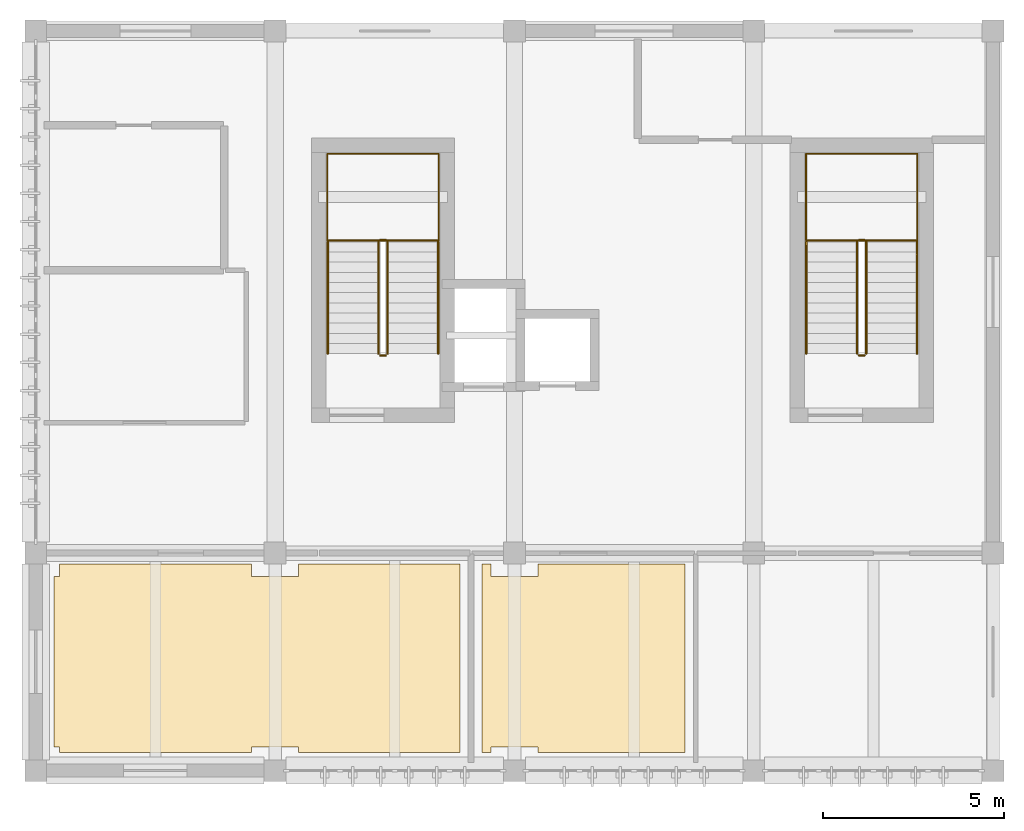
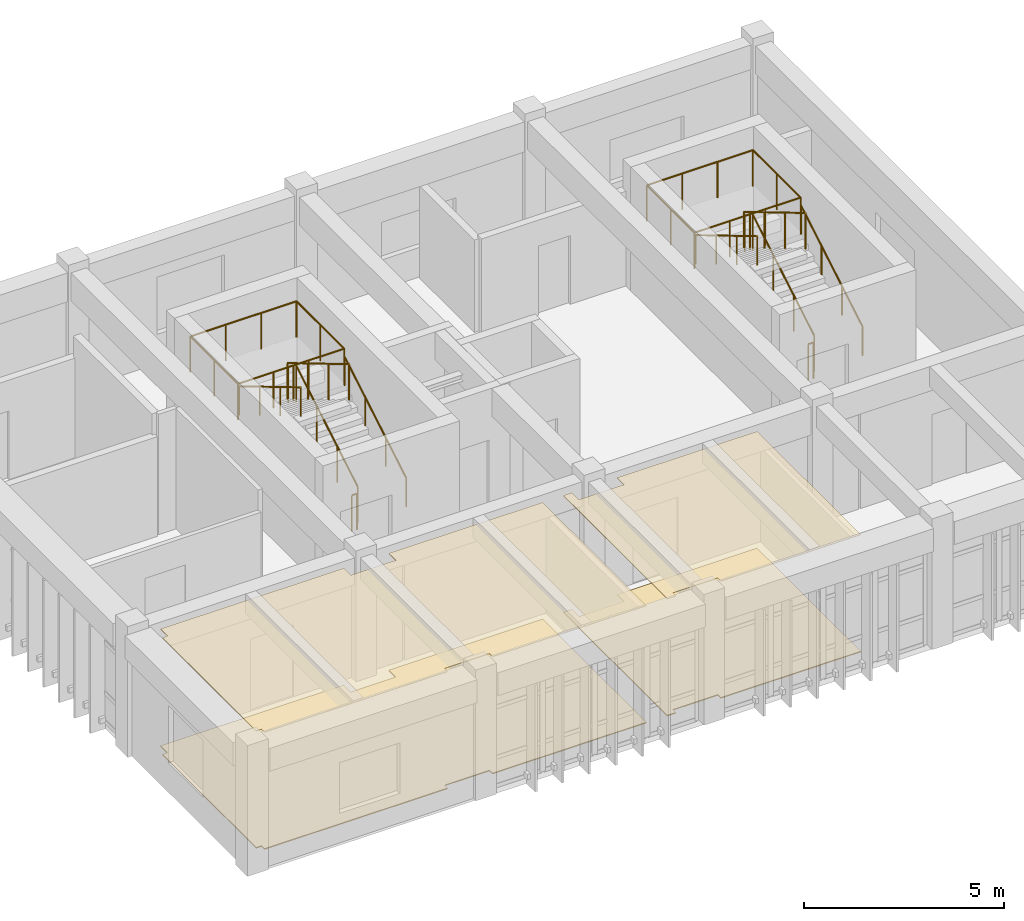
# One storey, part 7 of 7: 16 railings, 4 coverings.
"""IFC4 building model written with IfcOpenShell, lengths in metres."""

from ifc_helpers import new_model, si_unit, direction, frame, origin, origin_2d, place, context, subcontext, project, spatial, polyline, circle, outline, extrude, material, layer, layer_set, type_object, element, save


model = new_model("IFC4")

# Units and contexts
model_context = context("Model", 3, precision=1e-05, world=origin(), true_north=direction((0.0, 1.0)))
body_context = subcontext(model_context, "Body", "Model", "MODEL_VIEW")
ifc_project = project(units=[si_unit("LENGTHUNIT", "METRE"), si_unit("AREAUNIT", "SQUARE_METRE"), si_unit("VOLUMEUNIT", "CUBIC_METRE"), si_unit("PLANEANGLEUNIT", "RADIAN"), si_unit("MASSUNIT", "GRAM", prefix="KILO")], contexts=[model_context])

# Site, building, storey
site_placement = place(None, origin())
site = spatial("IfcSite", under=ifc_project, at=site_placement, CompositionType="ELEMENT")
building_placement = place(site_placement, origin())
building = spatial("IfcBuilding", under=site, at=building_placement, Name="Miralva Faculty of Natural Sciences", CompositionType="ELEMENT")
storey_placement = place(building_placement, frame((0.0, 0.0, 40.60009765625)))
storey = spatial("IfcBuildingStorey", under=building, at=storey_placement, Name="L09", CompositionType="ELEMENT", Elevation=40.60009765625)

# Coverings
ifc_material_1 = material(Name="Acoustic mineral-fibre board")
ifc_layer_1 = layer(ifc_material_1, 0.02197265625, Name="COV-CL01")
ifc_layer_set_1 = layer_set([ifc_layer_1], Name="Acoustic mineral-fibre board")
covering_type_1 = type_object("IfcCoveringType", Name="COV-CL01", PredefinedType="CEILING", material=ifc_layer_set_1)
covering_1_placement = place(storey_placement, frame((0.0, 0.0, 3.577880859375)))
element("IfcCovering", 1, at=covering_1_placement, inside=storey, type_object=covering_type_1, Name="Suspended acoustic ceiling L09-01", PredefinedType="CEILING", context=body_context, shape_type="SweptSolid", body=[
    extrude(outline(polyline([(8.949951171875, 8.35009765625), (10.25, 8.35009765625), (10.25, 8.699951171875), (14.699951171875, 8.699951171875), (14.699951171875, 3.5), (10.25, 3.5), (10.25, 3.64990234375), (8.949951171875, 3.64990234375), (8.949951171875, 3.5), (3.64990234375, 3.5), (3.64990234375, 3.64990234375), (3.5, 3.64990234375), (3.5, 8.35009765625), (3.64990234375, 8.35009765625), (3.64990234375, 8.699951171875), (8.949951171875, 8.699951171875), (8.949951171875, 8.35009765625)])), origin(), (0.0, 0.0, 1.0), 0.02197265625),
])
covering_2_placement = place(storey_placement, frame((0.0, 0.0, 3.577880859375)))
element("IfcCovering", 2, at=covering_2_placement, inside=storey, type_object=covering_type_1, Name="Suspended acoustic ceiling L09-02", PredefinedType="CEILING", context=body_context, shape_type="SweptSolid", body=[
    extrude(outline(polyline([(15.550048828125, 8.35009765625), (16.85009765625, 8.35009765625), (16.85009765625, 8.699951171875), (20.89990234375, 8.699951171875), (20.89990234375, 3.5), (16.85009765625, 3.5), (16.85009765625, 3.64990234375), (15.550048828125, 3.64990234375), (15.550048828125, 3.5), (15.300048828125, 3.5), (15.300048828125, 8.699951171875), (15.550048828125, 8.699951171875), (15.550048828125, 8.35009765625)])), origin(), (0.0, 0.0, 1.0), 0.02197265625),
])
ifc_material_2 = material(Name="Polished terrazzo flooring")
ifc_layer_2 = layer(ifc_material_2, 0.030029296875, Name="COV-FL01")
ifc_layer_set_2 = layer_set([ifc_layer_2], Name="Polished terrazzo flooring")
covering_type_2 = type_object("IfcCoveringType", Name="COV-FL01", PredefinedType="FLOORING", material=ifc_layer_set_2)
covering_3_placement = place(storey_placement, origin())
element("IfcCovering", 3, at=covering_3_placement, inside=storey, type_object=covering_type_2, Name="Finished flooring L09-01", PredefinedType="FLOORING", context=body_context, shape_type="SweptSolid", body=[
    extrude(outline(polyline([(8.949951171875, 8.35009765625), (10.25, 8.35009765625), (10.25, 8.699951171875), (14.699951171875, 8.699951171875), (14.699951171875, 3.5), (10.25, 3.5), (10.25, 3.64990234375), (8.949951171875, 3.64990234375), (8.949951171875, 3.5), (3.64990234375, 3.5), (3.64990234375, 3.64990234375), (3.5, 3.64990234375), (3.5, 8.35009765625), (3.64990234375, 8.35009765625), (3.64990234375, 8.699951171875), (8.949951171875, 8.699951171875), (8.949951171875, 8.35009765625)])), origin(), (0.0, 0.0, 1.0), 0.02978515625),
])
covering_4_placement = place(storey_placement, origin())
element("IfcCovering", 4, at=covering_4_placement, inside=storey, type_object=covering_type_2, Name="Finished flooring L09-02", PredefinedType="FLOORING", context=body_context, shape_type="SweptSolid", body=[
    extrude(outline(polyline([(15.550048828125, 8.35009765625), (16.85009765625, 8.35009765625), (16.85009765625, 8.699951171875), (20.89990234375, 8.699951171875), (20.89990234375, 3.5), (16.85009765625, 3.5), (16.85009765625, 3.64990234375), (15.550048828125, 3.64990234375), (15.550048828125, 3.5), (15.300048828125, 3.5), (15.300048828125, 8.699951171875), (15.550048828125, 8.699951171875), (15.550048828125, 8.35009765625)])), origin(), (0.0, 0.0, 1.0), 0.02978515625),
])

# Railings
ifc_material_3 = material(Name="Steel S355", Category="steel")
railing_type_1 = type_object("IfcRailingType", Name="RL-GR01", PredefinedType="GUARDRAIL", material=ifc_material_3)
railing_1_placement = place(storey_placement, frame((12.699951171875, 14.5, 0.16650390625)))
element("IfcRailing", 5, at=railing_1_placement, inside=storey, type_object=railing_type_1, Name="Stair Core C1 safety guard L09-1", PredefinedType="GUARDRAIL", context=body_context, shape_type="SweptSolid", body=[
    extrude(circle(Radius=0.02392578125, at=origin_2d()), frame((0.0, 0.0, 1.09619140625), z_axis=(0.0, 0.85927862911, 0.511507807912), x_axis=(-1.0, 0.0, 0.0)), (0.0, 0.0, 1.0), 3.58447265625),
    extrude(circle(Radius=0.02099609375, at=origin_2d()), origin(), (0.0, 0.0, 1.0), 1.072021484375),
    extrude(circle(Radius=0.02099609375, at=origin_2d()), frame((0.0, 1.026611328125, 0.611083984375)), (0.0, 0.0, 1.0), 1.072021484375),
    extrude(circle(Radius=0.02099609375, at=origin_2d()), frame((0.0, 2.053466796875, 1.222412109375)), (0.0, 0.0, 1.0), 1.072021484375),
    extrude(circle(Radius=0.02099609375, at=origin_2d()), frame((0.0, 3.080078125, 1.83349609375)), (0.0, 0.0, 1.0), 1.072021484375),
])
railing_2_placement = place(storey_placement, frame((12.64990234375, 17.6298828125, 2.0)))
element("IfcRailing", 6, at=railing_2_placement, inside=storey, type_object=railing_type_1, Name="Stair Core C1 safety guard L09-2", PredefinedType="GUARDRAIL", context=body_context, shape_type="SweptSolid", body=[
    extrude(circle(Radius=0.02392578125, at=origin_2d()), frame((0.0, 0.0, 1.09619140625), z_axis=(-1.0, 0.0, 0.0), x_axis=(0.0, -1.0, 0.0)), (0.0, 0.0, 1.0), 0.14990234375),
    extrude(circle(Radius=0.02099609375, at=origin_2d()), origin(), (0.0, 0.0, 1.0), 1.072021484375),
    extrude(circle(Radius=0.02099609375, at=origin_2d()), frame((-0.14990234375, 0.0, 0.0)), (0.0, 0.0, 1.0), 1.072021484375),
])
railing_3_placement = place(storey_placement, frame((12.449951171875, 17.580078125, 2.16650390625)))
element("IfcRailing", 7, at=railing_3_placement, inside=storey, type_object=railing_type_1, Name="Stair Core C1 safety guard L09-3", PredefinedType="GUARDRAIL", context=body_context, shape_type="SweptSolid", body=[
    extrude(circle(Radius=0.02392578125, at=origin_2d()), frame((0.0, 0.0, 1.09619140625), z_axis=(0.0, -0.85927862911, 0.511507807912), x_axis=(1.0, 0.0, 0.0)), (0.0, 0.0, 1.0), 3.58447265625),
    extrude(circle(Radius=0.02099609375, at=origin_2d()), origin(), (0.0, 0.0, 1.0), 1.072021484375),
    extrude(circle(Radius=0.02099609375, at=origin_2d()), frame((0.0, -1.026611328125, 0.611083984375)), (0.0, 0.0, 1.0), 1.072021484375),
    extrude(circle(Radius=0.02099609375, at=origin_2d()), frame((0.0, -2.053466796875, 1.222412109375)), (0.0, 0.0, 1.0), 1.072021484375),
    extrude(circle(Radius=0.02099609375, at=origin_2d()), frame((0.0, -3.080078125, 1.83349609375)), (0.0, 0.0, 1.0), 1.072021484375),
])
railing_4_placement = place(storey_placement, frame((12.64990234375, 14.449951171875, 0.0)))
element("IfcRailing", 8, at=railing_4_placement, inside=storey, type_object=railing_type_1, Name="Stair Core C1 safety guard L09-4", PredefinedType="GUARDRAIL", context=body_context, shape_type="SweptSolid", body=[
    extrude(circle(Radius=0.02392578125, at=origin_2d()), frame((0.0, 0.0, 1.09619140625), z_axis=(-1.0, 0.0, 0.0), x_axis=(0.0, -1.0, 0.0)), (0.0, 0.0, 1.0), 0.14990234375),
    extrude(circle(Radius=0.02099609375, at=origin_2d()), origin(), (0.0, 0.0, 1.0), 1.072021484375),
    extrude(circle(Radius=0.02099609375, at=origin_2d()), frame((-0.14990234375, 0.0, 0.0)), (0.0, 0.0, 1.0), 1.072021484375),
])
railing_5_placement = place(storey_placement, frame((11.0400390625, 17.6201171875, 2.0)))
element("IfcRailing", 9, at=railing_5_placement, inside=storey, type_object=railing_type_1, Name="Stair Core C1 half-landing guard L09-1A", PredefinedType="GUARDRAIL", context=body_context, shape_type="SweptSolid", body=[
    extrude(circle(Radius=0.02392578125, at=origin_2d()), frame((0.0, 0.0, 1.09619140625), z_axis=(0.0, 1.0, 0.0), x_axis=(-1.0, 0.0, 0.0)), (0.0, 0.0, 1.0), 2.389892578125),
    extrude(circle(Radius=0.02392578125, at=origin_2d()), frame((0.0, 2.389892578125, 1.09619140625), z_axis=(1.0, 0.0, 0.0), x_axis=(0.0, 1.0, 0.0)), (0.0, 0.0, 1.0), 3.070068359375),
    extrude(circle(Radius=0.02099609375, at=origin_2d()), origin(), (0.0, 0.0, 1.0), 1.072021484375),
    extrude(circle(Radius=0.02099609375, at=origin_2d()), frame((0.0, 1.19482421875, 0.0)), (0.0, 0.0, 1.0), 1.072021484375),
    extrude(circle(Radius=0.02099609375, at=origin_2d()), frame((0.0, 2.389892578125, 0.0)), (0.0, 0.0, 1.0), 1.072021484375),
    extrude(circle(Radius=0.02099609375, at=origin_2d()), frame((1.0234375, 2.389892578125, 0.0)), (0.0, 0.0, 1.0), 1.072021484375),
    extrude(circle(Radius=0.02099609375, at=origin_2d()), frame((2.046630859375, 2.389892578125, 0.0)), (0.0, 0.0, 1.0), 1.072021484375),
    extrude(circle(Radius=0.02099609375, at=origin_2d()), frame((3.070068359375, 2.389892578125, 0.0)), (0.0, 0.0, 1.0), 1.072021484375),
])
railing_6_placement = place(storey_placement, frame((14.110107421875, 20.010009765625, 2.0)))
element("IfcRailing", 10, at=railing_6_placement, inside=storey, type_object=railing_type_1, Name="Stair Core C1 half-landing guard L09-1B", PredefinedType="GUARDRAIL", context=body_context, shape_type="SweptSolid", body=[
    extrude(circle(Radius=0.02392578125, at=origin_2d()), frame((0.0, 0.0, 1.09619140625), z_axis=(0.0, -1.0, 0.0), x_axis=(1.0, 0.0, 0.0)), (0.0, 0.0, 1.0), 2.389892578125),
    extrude(circle(Radius=0.02392578125, at=origin_2d()), frame((0.0, -2.389892578125, 1.09619140625), z_axis=(-1.0, 0.0, 0.0), x_axis=(0.0, -1.0, 0.0)), (0.0, 0.0, 1.0), 3.070068359375),
    extrude(circle(Radius=0.02099609375, at=origin_2d()), origin(), (0.0, 0.0, 1.0), 1.072021484375),
    extrude(circle(Radius=0.02099609375, at=origin_2d()), frame((0.0, -1.19482421875, 0.0)), (0.0, 0.0, 1.0), 1.072021484375),
    extrude(circle(Radius=0.02099609375, at=origin_2d()), frame((0.0, -2.389892578125, 0.0)), (0.0, 0.0, 1.0), 1.072021484375),
    extrude(circle(Radius=0.02099609375, at=origin_2d()), frame((-1.0234375, -2.389892578125, 0.0)), (0.0, 0.0, 1.0), 1.072021484375),
    extrude(circle(Radius=0.02099609375, at=origin_2d()), frame((-2.046630859375, -2.389892578125, 0.0)), (0.0, 0.0, 1.0), 1.072021484375),
    extrude(circle(Radius=0.02099609375, at=origin_2d()), frame((-3.070068359375, -2.389892578125, 0.0)), (0.0, 0.0, 1.0), 1.072021484375),
])
railing_7_placement = place(storey_placement, frame((25.89990234375, 14.5, 0.16650390625)))
element("IfcRailing", 11, at=railing_7_placement, inside=storey, type_object=railing_type_1, Name="Stair Core C1B safety guard L09-1", PredefinedType="GUARDRAIL", context=body_context, shape_type="SweptSolid", body=[
    extrude(circle(Radius=0.02392578125, at=origin_2d()), frame((0.0, 0.0, 1.09619140625), z_axis=(0.0, 0.85927862911, 0.511507807912), x_axis=(-1.0, 0.0, 0.0)), (0.0, 0.0, 1.0), 3.58447265625),
    extrude(circle(Radius=0.02099609375, at=origin_2d()), origin(), (0.0, 0.0, 1.0), 1.072021484375),
    extrude(circle(Radius=0.02099609375, at=origin_2d()), frame((0.0, 1.026611328125, 0.611083984375)), (0.0, 0.0, 1.0), 1.072021484375),
    extrude(circle(Radius=0.02099609375, at=origin_2d()), frame((0.0, 2.053466796875, 1.222412109375)), (0.0, 0.0, 1.0), 1.072021484375),
    extrude(circle(Radius=0.02099609375, at=origin_2d()), frame((0.0, 3.080078125, 1.83349609375)), (0.0, 0.0, 1.0), 1.072021484375),
])
railing_8_placement = place(storey_placement, frame((25.85009765625, 17.6298828125, 2.0)))
element("IfcRailing", 12, at=railing_8_placement, inside=storey, type_object=railing_type_1, Name="Stair Core C1B safety guard L09-2", PredefinedType="GUARDRAIL", context=body_context, shape_type="SweptSolid", body=[
    extrude(circle(Radius=0.02392578125, at=origin_2d()), frame((0.0, 0.0, 1.09619140625), z_axis=(-1.0, 0.0, 0.0), x_axis=(0.0, -1.0, 0.0)), (0.0, 0.0, 1.0), 0.150146484375),
    extrude(circle(Radius=0.02099609375, at=origin_2d()), origin(), (0.0, 0.0, 1.0), 1.072021484375),
    extrude(circle(Radius=0.02099609375, at=origin_2d()), frame((-0.150146484375, 0.0, 0.0)), (0.0, 0.0, 1.0), 1.072021484375),
])
railing_9_placement = place(storey_placement, frame((25.64990234375, 17.580078125, 2.16650390625)))
element("IfcRailing", 13, at=railing_9_placement, inside=storey, type_object=railing_type_1, Name="Stair Core C1B safety guard L09-3", PredefinedType="GUARDRAIL", context=body_context, shape_type="SweptSolid", body=[
    extrude(circle(Radius=0.02392578125, at=origin_2d()), frame((0.0, 0.0, 1.09619140625), z_axis=(0.0, -0.85927862911, 0.511507807912), x_axis=(1.0, 0.0, 0.0)), (0.0, 0.0, 1.0), 3.58447265625),
    extrude(circle(Radius=0.02099609375, at=origin_2d()), origin(), (0.0, 0.0, 1.0), 1.072021484375),
    extrude(circle(Radius=0.02099609375, at=origin_2d()), frame((0.0, -1.026611328125, 0.611083984375)), (0.0, 0.0, 1.0), 1.072021484375),
    extrude(circle(Radius=0.02099609375, at=origin_2d()), frame((0.0, -2.053466796875, 1.222412109375)), (0.0, 0.0, 1.0), 1.072021484375),
    extrude(circle(Radius=0.02099609375, at=origin_2d()), frame((0.0, -3.080078125, 1.83349609375)), (0.0, 0.0, 1.0), 1.072021484375),
])
railing_10_placement = place(storey_placement, frame((25.85009765625, 14.449951171875, 0.0)))
element("IfcRailing", 14, at=railing_10_placement, inside=storey, type_object=railing_type_1, Name="Stair Core C1B safety guard L09-4", PredefinedType="GUARDRAIL", context=body_context, shape_type="SweptSolid", body=[
    extrude(circle(Radius=0.02392578125, at=origin_2d()), frame((0.0, 0.0, 1.09619140625), z_axis=(-1.0, 0.0, 0.0), x_axis=(0.0, -1.0, 0.0)), (0.0, 0.0, 1.0), 0.150146484375),
    extrude(circle(Radius=0.02099609375, at=origin_2d()), origin(), (0.0, 0.0, 1.0), 1.072021484375),
    extrude(circle(Radius=0.02099609375, at=origin_2d()), frame((-0.150146484375, 0.0, 0.0)), (0.0, 0.0, 1.0), 1.072021484375),
])
railing_11_placement = place(storey_placement, frame((24.239990234375, 17.6201171875, 2.0)))
element("IfcRailing", 15, at=railing_11_placement, inside=storey, type_object=railing_type_1, Name="Stair Core C1B half-landing guard L09-1A", PredefinedType="GUARDRAIL", context=body_context, shape_type="SweptSolid", body=[
    extrude(circle(Radius=0.02392578125, at=origin_2d()), frame((0.0, 0.0, 1.09619140625), z_axis=(0.0, 1.0, 0.0), x_axis=(-1.0, 0.0, 0.0)), (0.0, 0.0, 1.0), 2.389892578125),
    extrude(circle(Radius=0.02392578125, at=origin_2d()), frame((0.0, 2.389892578125, 1.09619140625), z_axis=(1.0, 0.0, 0.0), x_axis=(0.0, 1.0, 0.0)), (0.0, 0.0, 1.0), 3.070068359375),
    extrude(circle(Radius=0.02099609375, at=origin_2d()), origin(), (0.0, 0.0, 1.0), 1.072021484375),
    extrude(circle(Radius=0.02099609375, at=origin_2d()), frame((0.0, 1.19482421875, 0.0)), (0.0, 0.0, 1.0), 1.072021484375),
    extrude(circle(Radius=0.02099609375, at=origin_2d()), frame((0.0, 2.389892578125, 0.0)), (0.0, 0.0, 1.0), 1.072021484375),
    extrude(circle(Radius=0.02099609375, at=origin_2d()), frame((1.0234375, 2.389892578125, 0.0)), (0.0, 0.0, 1.0), 1.072021484375),
    extrude(circle(Radius=0.02099609375, at=origin_2d()), frame((2.046630859375, 2.389892578125, 0.0)), (0.0, 0.0, 1.0), 1.072021484375),
    extrude(circle(Radius=0.02099609375, at=origin_2d()), frame((3.070068359375, 2.389892578125, 0.0)), (0.0, 0.0, 1.0), 1.072021484375),
])
railing_12_placement = place(storey_placement, frame((27.31005859375, 20.010009765625, 2.0)))
element("IfcRailing", 16, at=railing_12_placement, inside=storey, type_object=railing_type_1, Name="Stair Core C1B half-landing guard L09-1B", PredefinedType="GUARDRAIL", context=body_context, shape_type="SweptSolid", body=[
    extrude(circle(Radius=0.02392578125, at=origin_2d()), frame((0.0, 0.0, 1.09619140625), z_axis=(0.0, -1.0, 0.0), x_axis=(1.0, 0.0, 0.0)), (0.0, 0.0, 1.0), 2.389892578125),
    extrude(circle(Radius=0.02392578125, at=origin_2d()), frame((0.0, -2.389892578125, 1.09619140625), z_axis=(-1.0, 0.0, 0.0), x_axis=(0.0, -1.0, 0.0)), (0.0, 0.0, 1.0), 3.070068359375),
    extrude(circle(Radius=0.02099609375, at=origin_2d()), origin(), (0.0, 0.0, 1.0), 1.072021484375),
    extrude(circle(Radius=0.02099609375, at=origin_2d()), frame((0.0, -1.19482421875, 0.0)), (0.0, 0.0, 1.0), 1.072021484375),
    extrude(circle(Radius=0.02099609375, at=origin_2d()), frame((0.0, -2.389892578125, 0.0)), (0.0, 0.0, 1.0), 1.072021484375),
    extrude(circle(Radius=0.02099609375, at=origin_2d()), frame((-1.0234375, -2.389892578125, 0.0)), (0.0, 0.0, 1.0), 1.072021484375),
    extrude(circle(Radius=0.02099609375, at=origin_2d()), frame((-2.046630859375, -2.389892578125, 0.0)), (0.0, 0.0, 1.0), 1.072021484375),
    extrude(circle(Radius=0.02099609375, at=origin_2d()), frame((-3.070068359375, -2.389892578125, 0.0)), (0.0, 0.0, 1.0), 1.072021484375),
])
railing_type_2 = type_object("IfcRailingType", Name="RL-HR01", PredefinedType="HANDRAIL", material=ifc_material_3)
railing_13_placement = place(storey_placement, frame((14.10009765625, 14.5, 0.16650390625)))
element("IfcRailing", 17, at=railing_13_placement, inside=storey, type_object=railing_type_2, Name="Stair Core C1 handrail L09-1", PredefinedType="HANDRAIL", context=body_context, shape_type="SweptSolid", body=[
    extrude(circle(Radius=0.02392578125, at=origin_2d()), frame((0.0, 0.0, 0.8759765625), z_axis=(0.0, 0.85927862911, 0.511507807912), x_axis=(-1.0, 0.0, 0.0)), (0.0, 0.0, 1.0), 3.58447265625),
    extrude(circle(Radius=0.02099609375, at=origin_2d()), origin(), (0.0, 0.0, 1.0), 0.851806640625),
    extrude(circle(Radius=0.02099609375, at=origin_2d()), frame((0.0, 1.026611328125, 0.611083984375)), (0.0, 0.0, 1.0), 0.851806640625),
    extrude(circle(Radius=0.02099609375, at=origin_2d()), frame((0.0, 2.053466796875, 1.222412109375)), (0.0, 0.0, 1.0), 0.851806640625),
    extrude(circle(Radius=0.02099609375, at=origin_2d()), frame((0.0, 3.080078125, 1.83349609375)), (0.0, 0.0, 1.0), 0.851806640625),
])
railing_14_placement = place(storey_placement, frame((11.050048828125, 17.580078125, 2.16650390625)))
element("IfcRailing", 18, at=railing_14_placement, inside=storey, type_object=railing_type_2, Name="Stair Core C1 handrail L09-2", PredefinedType="HANDRAIL", context=body_context, shape_type="SweptSolid", body=[
    extrude(circle(Radius=0.02392578125, at=origin_2d()), frame((0.0, 0.0, 0.8759765625), z_axis=(0.0, -0.85927862911, 0.511507807912), x_axis=(1.0, 0.0, 0.0)), (0.0, 0.0, 1.0), 3.58447265625),
    extrude(circle(Radius=0.02099609375, at=origin_2d()), origin(), (0.0, 0.0, 1.0), 0.851806640625),
    extrude(circle(Radius=0.02099609375, at=origin_2d()), frame((0.0, -1.026611328125, 0.611083984375)), (0.0, 0.0, 1.0), 0.851806640625),
    extrude(circle(Radius=0.02099609375, at=origin_2d()), frame((0.0, -2.053466796875, 1.222412109375)), (0.0, 0.0, 1.0), 0.851806640625),
    extrude(circle(Radius=0.02099609375, at=origin_2d()), frame((0.0, -3.080078125, 1.83349609375)), (0.0, 0.0, 1.0), 0.851806640625),
])
railing_15_placement = place(storey_placement, frame((27.300048828125, 14.5, 0.16650390625)))
element("IfcRailing", 19, at=railing_15_placement, inside=storey, type_object=railing_type_2, Name="Stair Core C1B handrail L09-1", PredefinedType="HANDRAIL", context=body_context, shape_type="SweptSolid", body=[
    extrude(circle(Radius=0.02392578125, at=origin_2d()), frame((0.0, 0.0, 0.8759765625), z_axis=(0.0, 0.85927862911, 0.511507807912), x_axis=(-1.0, 0.0, 0.0)), (0.0, 0.0, 1.0), 3.58447265625),
    extrude(circle(Radius=0.02099609375, at=origin_2d()), origin(), (0.0, 0.0, 1.0), 0.851806640625),
    extrude(circle(Radius=0.02099609375, at=origin_2d()), frame((0.0, 1.026611328125, 0.611083984375)), (0.0, 0.0, 1.0), 0.851806640625),
    extrude(circle(Radius=0.02099609375, at=origin_2d()), frame((0.0, 2.053466796875, 1.222412109375)), (0.0, 0.0, 1.0), 0.851806640625),
    extrude(circle(Radius=0.02099609375, at=origin_2d()), frame((0.0, 3.080078125, 1.83349609375)), (0.0, 0.0, 1.0), 0.851806640625),
])
railing_16_placement = place(storey_placement, frame((24.25, 17.580078125, 2.16650390625)))
element("IfcRailing", 20, at=railing_16_placement, inside=storey, type_object=railing_type_2, Name="Stair Core C1B handrail L09-2", PredefinedType="HANDRAIL", context=body_context, shape_type="SweptSolid", body=[
    extrude(circle(Radius=0.02392578125, at=origin_2d()), frame((0.0, 0.0, 0.8759765625), z_axis=(0.0, -0.85927862911, 0.511507807912), x_axis=(1.0, 0.0, 0.0)), (0.0, 0.0, 1.0), 3.58447265625),
    extrude(circle(Radius=0.02099609375, at=origin_2d()), origin(), (0.0, 0.0, 1.0), 0.851806640625),
    extrude(circle(Radius=0.02099609375, at=origin_2d()), frame((0.0, -1.026611328125, 0.611083984375)), (0.0, 0.0, 1.0), 0.851806640625),
    extrude(circle(Radius=0.02099609375, at=origin_2d()), frame((0.0, -2.053466796875, 1.222412109375)), (0.0, 0.0, 1.0), 0.851806640625),
    extrude(circle(Radius=0.02099609375, at=origin_2d()), frame((0.0, -3.080078125, 1.83349609375)), (0.0, 0.0, 1.0), 0.851806640625),
])

save(model, "model.ifc")
